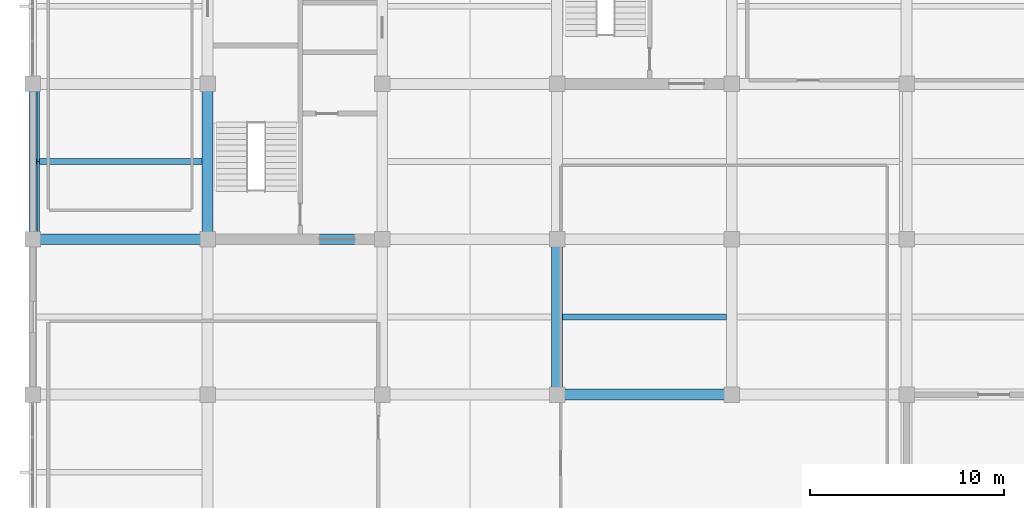
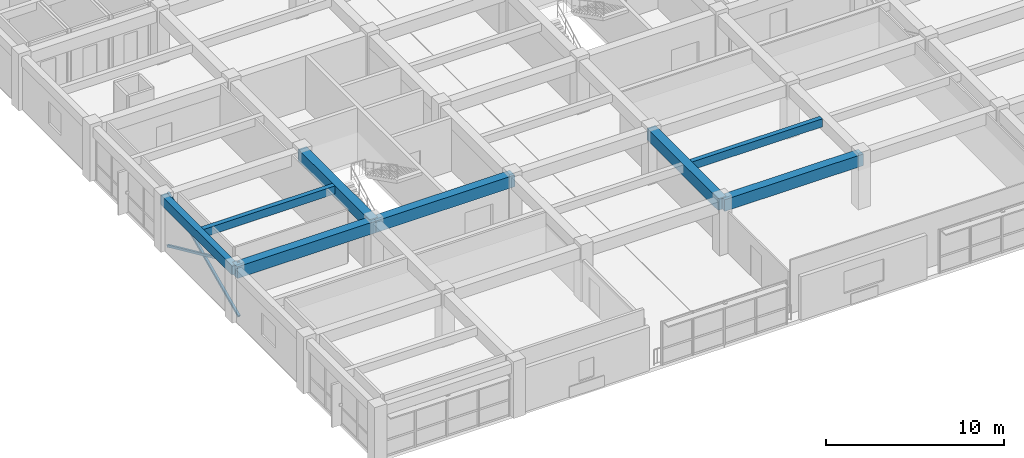
# One storey, part 3 of 17: 8 beams, 2 members.
"""IFC4 building model written with IfcOpenShell, lengths in metres."""

from ifc_helpers import new_model, si_unit, direction, frame, origin, origin_2d, place, context, subcontext, project, spatial, rectangle, hollow_rectangle, extrude, material, material_profile, profile_set, type_object, element, save


model = new_model("IFC4")

# Units and contexts
model_context = context("Model", 3, precision=1e-05, world=origin(), true_north=direction((0.0, 1.0)))
body_context = subcontext(model_context, "Body", "Model", "MODEL_VIEW")
ifc_project = project(units=[si_unit("LENGTHUNIT", "METRE"), si_unit("AREAUNIT", "SQUARE_METRE"), si_unit("VOLUMEUNIT", "CUBIC_METRE"), si_unit("PLANEANGLEUNIT", "RADIAN"), si_unit("MASSUNIT", "GRAM", prefix="KILO")], contexts=[model_context])

# Site, building, storey
site_placement = place(None, origin())
site = spatial("IfcSite", under=ifc_project, at=site_placement, CompositionType="ELEMENT")
building_placement = place(site_placement, origin())
building = spatial("IfcBuilding", under=site, at=building_placement, Name="Zaverband Oceanarium and Marine Research Institute", CompositionType="ELEMENT")
storey_placement = place(building_placement, frame((0.0, 0.0, 33.60009765625)))
storey = spatial("IfcBuildingStorey", under=building, at=storey_placement, Name="L08", CompositionType="ELEMENT", Elevation=33.60009765625)

# Beams
ifc_material_1 = material(Name="Concrete C40/50", Category="concrete")
ifc_material_profile_1 = material_profile(ifc_material_1, rectangle(XDim=0.550048828125, YDim=0.800048828125, at=origin_2d()), Name="RC550x800")
ifc_profile_set_1 = profile_set([ifc_material_profile_1], Name="Concrete C40/50")
beam_type_1 = type_object("IfcBeamType", Name="BM-550x800", PredefinedType="BEAM", material=ifc_profile_set_1)
for number, where, z_axis, x_axis, name in (
    (1, (36.0, 72.0, 3.25), (1.0, 0.0, 0.0), (0.0, 1.0, 0.0), "Primary floor girder BM-550x800"),
    (2, (9.0, 80.0, 3.25), (1.0, 0.0, 0.0), (0.0, 1.0, 0.0), "Primary floor girder BM-550x800"),
    (3, (18.0, 80.0, 3.25), (1.0, 0.0, 0.0), (0.0, 1.0, 0.0), "Primary floor girder BM-550x800"),
):
    element("IfcBeam", number, at=place(storey_placement, frame(where, z_axis=z_axis, x_axis=x_axis)), inside=storey, type_object=beam_type_1, Name=name, PredefinedType="BEAM", context=body_context, shape_type="SweptSolid", body=[
        extrude(rectangle(XDim=0.550048828125, YDim=0.800048828125, at=origin_2d()), origin(), (0.0, 0.0, 1.0), 9.0),
    ])
for number, where, z_axis, x_axis, name in (
    (4, (18.0, 80.0, 3.25), (0.0, 1.0, 0.0), (-1.0, 0.0, 0.0), "Primary floor girder BM-550x800"),
    (5, (36.0, 72.0, 3.25), (0.0, 1.0, 0.0), (-1.0, 0.0, 0.0), "Primary floor girder BM-550x800"),
):
    element("IfcBeam", number, at=place(storey_placement, frame(where, z_axis=z_axis, x_axis=x_axis)), inside=storey, type_object=beam_type_1, Name=name, PredefinedType="BEAM", context=body_context, shape_type="SweptSolid", body=[
        extrude(rectangle(XDim=0.550048828125, YDim=0.800048828125, at=origin_2d()), origin(), (0.0, 0.0, 1.0), 8.0),
    ])

# Members
ifc_material_2 = material(Name="Steel S355", Category="steel")
ifc_material_profile_2 = material_profile(ifc_material_2, hollow_rectangle(XDim=0.14990234375, YDim=0.14990234375, WallThickness=0.008056640625, at=origin_2d()), Name="SHS150x150x8")
ifc_profile_set_2 = profile_set([ifc_material_profile_2], Name="Steel S355")
member_type = type_object("IfcMemberType", Name="BR-04", PredefinedType="BRACE", material=ifc_profile_set_2)
for number, where, z_axis, x_axis, name in (
    (6, (9.280029296875, 80.0, 0.0), (0.0, 0.909785572369, 0.415078561612), (-1.0, 0.0, 0.0), "Diagonal lateral brace BR-04"),
    (7, (9.280029296875, 88.0, 0.0), (0.0, -0.909785572369, 0.415078561612), (1.0, 0.0, 0.0), "Diagonal lateral brace BR-04"),
):
    element("IfcMember", number, at=place(storey_placement, frame(where, z_axis=z_axis, x_axis=x_axis)), inside=storey, type_object=member_type, Name=name, PredefinedType="BRACE", context=body_context, shape_type="SweptSolid", body=[
        extrude(hollow_rectangle(XDim=0.14990234375, YDim=0.14990234375, WallThickness=0.008056640625, at=origin_2d()), origin(), (0.0, 0.0, 1.0), 8.793212890625),
    ])

# Beams
ifc_material_profile_3 = material_profile(ifc_material_1, rectangle(XDim=0.300048828125, YDim=0.550048828125, at=origin_2d()), Name="RC300x550")
ifc_profile_set_3 = profile_set([ifc_material_profile_3], Name="Concrete C40/50")
beam_type_2 = type_object("IfcBeamType", Name="JST-300x550", PredefinedType="JOIST", material=ifc_profile_set_3)
beam_1_placement = place(storey_placement, frame((9.199951171875, 84.0, 3.375), z_axis=(1.0, 0.0, 0.0), x_axis=(0.0, 1.0, 0.0)))
element("IfcBeam", 8, at=beam_1_placement, inside=storey, type_object=beam_type_2, Name="Secondary floor joist JST-300x550", PredefinedType="JOIST", context=body_context, shape_type="SweptSolid", body=[
    extrude(rectangle(XDim=0.300048828125, YDim=0.550048828125, at=origin_2d()), origin(), (0.0, 0.0, 1.0), 8.525146484375),
])
beam_2_placement = place(storey_placement, frame((36.27490234375, 76.0, 3.375), z_axis=(1.0, 0.0, 0.0), x_axis=(0.0, 1.0, 0.0)))
element("IfcBeam", 9, at=beam_2_placement, inside=storey, type_object=beam_type_2, Name="Secondary floor joist JST-300x550", PredefinedType="JOIST", context=body_context, shape_type="SweptSolid", body=[
    extrude(rectangle(XDim=0.300048828125, YDim=0.550048828125, at=origin_2d()), origin(), (0.0, 0.0, 1.0), 8.4501953125),
])
ifc_material_profile_4 = material_profile(ifc_material_1, rectangle(XDim=0.39990234375, YDim=0.64990234375, at=origin_2d()), Name="RC400x650")
ifc_profile_set_4 = profile_set([ifc_material_profile_4], Name="Concrete C40/50")
beam_type_3 = type_object("IfcBeamType", Name="SPN-400x650", PredefinedType="SPANDREL", material=ifc_profile_set_4)
beam_3_placement = place(storey_placement, frame((9.0, 80.0, 3.324951171875), z_axis=(0.0, 1.0, 0.0), x_axis=(-1.0, 0.0, 0.0)))
element("IfcBeam", 10, at=beam_3_placement, inside=storey, type_object=beam_type_3, Name="Perimeter spandrel beam SPN-400x650", PredefinedType="SPANDREL", context=body_context, shape_type="SweptSolid", body=[
    extrude(rectangle(XDim=0.39990234375, YDim=0.64990234375, at=origin_2d()), origin(), (0.0, 0.0, 1.0), 8.0),
])

save(model, "model.ifc")
